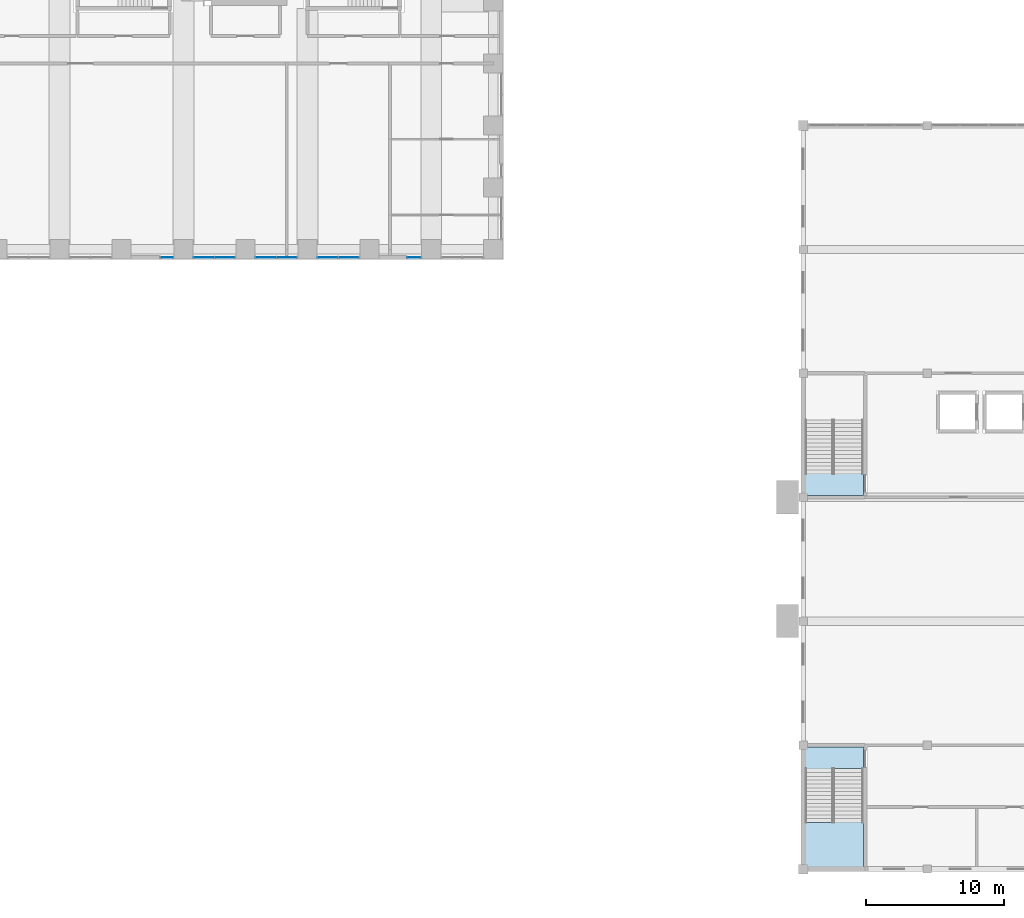
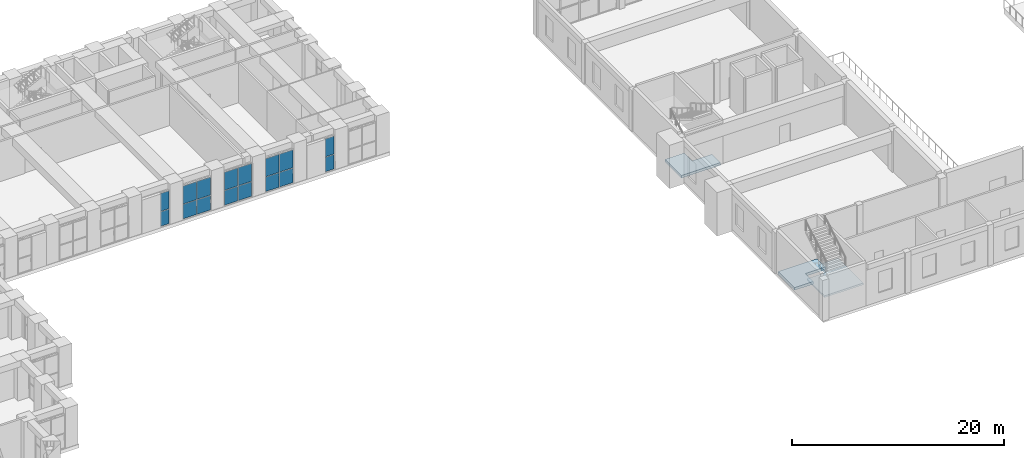
# One storey, part 14 of 34: 16 plates, 3 slabs, 6 elements without a shape of their own.
"""IFC4 building model written with IfcOpenShell, lengths in metres."""

from ifc_helpers import new_model, si_unit, direction, frame, origin, origin_2d, place, context, subcontext, project, spatial, polyline, rectangle, outline, extrude, material, layer, layer_set, type_object, element, aggregate, save


model = new_model("IFC4")

# Units and contexts
model_context = context("Model", 3, precision=1e-05, world=origin(), true_north=direction((0.0, 1.0)))
body_context = subcontext(model_context, "Body", "Model", "MODEL_VIEW")
ifc_project = project(units=[si_unit("LENGTHUNIT", "METRE"), si_unit("AREAUNIT", "SQUARE_METRE"), si_unit("VOLUMEUNIT", "CUBIC_METRE"), si_unit("PLANEANGLEUNIT", "RADIAN"), si_unit("MASSUNIT", "GRAM", prefix="KILO")], contexts=[model_context])

# Site, building, storey
site_placement = place(None, origin())
site = spatial("IfcSite", under=ifc_project, at=site_placement, CompositionType="ELEMENT")
building_placement = place(site_placement, origin())
building = spatial("IfcBuilding", under=site, at=building_placement, Name="Firuza Court", CompositionType="ELEMENT")
storey_placement = place(building_placement, frame((0.0, 0.0, 14.0)))
storey = spatial("IfcBuildingStorey", under=building, at=storey_placement, Name="L02", CompositionType="ELEMENT", Elevation=14.0)

# Curtain wall, plates
ifc_material_1 = material(Name="Aluminium curtain wall, triple clear glazing", Category="aluminium")
curtain_wall_type = type_object("IfcCurtainWallType", Name="Podium unitised curtain wall CW1", PredefinedType="NOTDEFINED", material=ifc_material_1)
curtain_wall_1_placement = place(storey_placement, origin())
curtain_wall_1 = element("IfcCurtainWall", 1, at=curtain_wall_1_placement, inside=storey, type_object=curtain_wall_type, Name="Podium unitised curtain wall CW1 L02", PredefinedType="NOTDEFINED")
ifc_material_2 = material(Name="Triple clear glazing", Category="glass")
ifc_layer_1 = layer(ifc_material_2, 0.031982421875)
ifc_layer_set_1 = layer_set([ifc_layer_1], Name="Triple clear glazing")
plate_type = type_object("IfcPlateType", Name="Glazed panel 32 CW1", PredefinedType="CURTAIN_PANEL", material=ifc_layer_set_1)
plate_1_placement = place(storey_placement, frame((43.7880859375, 35.39990234375, 0.06005859375), z_axis=(0.0, 0.0, 1.0), x_axis=(1.0, 0.0, 0.0)))
plate_1 = element("IfcPlate", 2, at=plate_1_placement, type_object=plate_type, Name="CW1 panel 1.1", PredefinedType="CURTAIN_PANEL", context=body_context, shape_type="SweptSolid", body=[
    extrude(rectangle(XDim=0.90380859375, YDim=0.031982421875, at=origin_2d()), origin(), (0.0, 0.0, 1.0), 1.6650390625),
])
plate_2_placement = place(storey_placement, frame((43.7880859375, 35.39990234375, 1.78515625), z_axis=(0.0, 0.0, 1.0), x_axis=(1.0, 0.0, 0.0)))
plate_2 = element("IfcPlate", 3, at=plate_2_placement, type_object=plate_type, Name="CW1 panel 1.2", PredefinedType="CURTAIN_PANEL", context=body_context, shape_type="SweptSolid", body=[
    extrude(rectangle(XDim=0.90380859375, YDim=0.031982421875, at=origin_2d()), origin(), (0.0, 0.0, 1.0), 2.054931640625),
])
aggregate(curtain_wall_1, [plate_1, plate_2])

curtain_wall_2_placement = place(storey_placement, origin())
curtain_wall_2 = element("IfcCurtainWall", 4, at=curtain_wall_2_placement, inside=storey, type_object=curtain_wall_type, Name="Podium unitised curtain wall CW1 L02", PredefinedType="NOTDEFINED")
plate_3_placement = place(storey_placement, frame((46.489990234375, 35.39990234375, 0.06005859375), z_axis=(0.0, 0.0, 1.0), x_axis=(1.0, 0.0, 0.0)))
plate_3 = element("IfcPlate", 5, at=plate_3_placement, type_object=plate_type, Name="CW1 panel 1.1", PredefinedType="CURTAIN_PANEL", context=body_context, shape_type="SweptSolid", body=[
    extrude(rectangle(XDim=1.4599609375, YDim=0.031982421875, at=origin_2d()), origin(), (0.0, 0.0, 1.0), 1.6650390625),
])
plate_4_placement = place(storey_placement, frame((46.489990234375, 35.39990234375, 1.78515625), z_axis=(0.0, 0.0, 1.0), x_axis=(1.0, 0.0, 0.0)))
plate_4 = element("IfcPlate", 6, at=plate_4_placement, type_object=plate_type, Name="CW1 panel 1.2", PredefinedType="CURTAIN_PANEL", context=body_context, shape_type="SweptSolid", body=[
    extrude(rectangle(XDim=1.4599609375, YDim=0.031982421875, at=origin_2d()), origin(), (0.0, 0.0, 1.0), 2.054931640625),
])
plate_5_placement = place(storey_placement, frame((48.010009765625, 35.39990234375, 0.06005859375), z_axis=(0.0, 0.0, 1.0), x_axis=(1.0, 0.0, 0.0)))
plate_5 = element("IfcPlate", 7, at=plate_5_placement, type_object=plate_type, Name="CW1 panel 2.1", PredefinedType="CURTAIN_PANEL", context=body_context, shape_type="SweptSolid", body=[
    extrude(rectangle(XDim=1.4599609375, YDim=0.031982421875, at=origin_2d()), origin(), (0.0, 0.0, 1.0), 1.6650390625),
])
plate_6_placement = place(storey_placement, frame((48.010009765625, 35.39990234375, 1.78515625), z_axis=(0.0, 0.0, 1.0), x_axis=(1.0, 0.0, 0.0)))
plate_6 = element("IfcPlate", 8, at=plate_6_placement, type_object=plate_type, Name="CW1 panel 2.2", PredefinedType="CURTAIN_PANEL", context=body_context, shape_type="SweptSolid", body=[
    extrude(rectangle(XDim=1.4599609375, YDim=0.031982421875, at=origin_2d()), origin(), (0.0, 0.0, 1.0), 2.054931640625),
])
aggregate(curtain_wall_2, [plate_3, plate_4, plate_5, plate_6])

curtain_wall_3_placement = place(storey_placement, origin())
curtain_wall_3 = element("IfcCurtainWall", 9, at=curtain_wall_3_placement, inside=storey, type_object=curtain_wall_type, Name="Podium unitised curtain wall CW1 L02", PredefinedType="NOTDEFINED")
plate_7_placement = place(storey_placement, frame((50.989990234375, 35.39990234375, 0.06005859375), z_axis=(0.0, 0.0, 1.0), x_axis=(1.0, 0.0, 0.0)))
plate_7 = element("IfcPlate", 10, at=plate_7_placement, type_object=plate_type, Name="CW1 panel 1.1", PredefinedType="CURTAIN_PANEL", context=body_context, shape_type="SweptSolid", body=[
    extrude(rectangle(XDim=1.4599609375, YDim=0.031982421875, at=origin_2d()), origin(), (0.0, 0.0, 1.0), 1.6650390625),
])
plate_8_placement = place(storey_placement, frame((50.989990234375, 35.39990234375, 1.78515625), z_axis=(0.0, 0.0, 1.0), x_axis=(1.0, 0.0, 0.0)))
plate_8 = element("IfcPlate", 11, at=plate_8_placement, type_object=plate_type, Name="CW1 panel 1.2", PredefinedType="CURTAIN_PANEL", context=body_context, shape_type="SweptSolid", body=[
    extrude(rectangle(XDim=1.4599609375, YDim=0.031982421875, at=origin_2d()), origin(), (0.0, 0.0, 1.0), 2.054931640625),
])
plate_9_placement = place(storey_placement, frame((52.510009765625, 35.39990234375, 0.06005859375), z_axis=(0.0, 0.0, 1.0), x_axis=(1.0, 0.0, 0.0)))
plate_9 = element("IfcPlate", 12, at=plate_9_placement, type_object=plate_type, Name="CW1 panel 2.1", PredefinedType="CURTAIN_PANEL", context=body_context, shape_type="SweptSolid", body=[
    extrude(rectangle(XDim=1.4599609375, YDim=0.031982421875, at=origin_2d()), origin(), (0.0, 0.0, 1.0), 1.6650390625),
])
plate_10_placement = place(storey_placement, frame((52.510009765625, 35.39990234375, 1.78515625), z_axis=(0.0, 0.0, 1.0), x_axis=(1.0, 0.0, 0.0)))
plate_10 = element("IfcPlate", 13, at=plate_10_placement, type_object=plate_type, Name="CW1 panel 2.2", PredefinedType="CURTAIN_PANEL", context=body_context, shape_type="SweptSolid", body=[
    extrude(rectangle(XDim=1.4599609375, YDim=0.031982421875, at=origin_2d()), origin(), (0.0, 0.0, 1.0), 2.054931640625),
])
aggregate(curtain_wall_3, [plate_7, plate_8, plate_9, plate_10])

curtain_wall_4_placement = place(storey_placement, origin())
curtain_wall_4 = element("IfcCurtainWall", 14, at=curtain_wall_4_placement, inside=storey, type_object=curtain_wall_type, Name="Podium unitised curtain wall CW1 L02", PredefinedType="NOTDEFINED")
plate_11_placement = place(storey_placement, frame((55.489990234375, 35.39990234375, 0.06005859375), z_axis=(0.0, 0.0, 1.0), x_axis=(1.0, 0.0, 0.0)))
plate_11 = element("IfcPlate", 15, at=plate_11_placement, type_object=plate_type, Name="CW1 panel 1.1", PredefinedType="CURTAIN_PANEL", context=body_context, shape_type="SweptSolid", body=[
    extrude(rectangle(XDim=1.4599609375, YDim=0.031982421875, at=origin_2d()), origin(), (0.0, 0.0, 1.0), 1.6650390625),
])
plate_12_placement = place(storey_placement, frame((55.489990234375, 35.39990234375, 1.78515625), z_axis=(0.0, 0.0, 1.0), x_axis=(1.0, 0.0, 0.0)))
plate_12 = element("IfcPlate", 16, at=plate_12_placement, type_object=plate_type, Name="CW1 panel 1.2", PredefinedType="CURTAIN_PANEL", context=body_context, shape_type="SweptSolid", body=[
    extrude(rectangle(XDim=1.4599609375, YDim=0.031982421875, at=origin_2d()), origin(), (0.0, 0.0, 1.0), 2.054931640625),
])
plate_13_placement = place(storey_placement, frame((57.010009765625, 35.39990234375, 0.06005859375), z_axis=(0.0, 0.0, 1.0), x_axis=(1.0, 0.0, 0.0)))
plate_13 = element("IfcPlate", 17, at=plate_13_placement, type_object=plate_type, Name="CW1 panel 2.1", PredefinedType="CURTAIN_PANEL", context=body_context, shape_type="SweptSolid", body=[
    extrude(rectangle(XDim=1.4599609375, YDim=0.031982421875, at=origin_2d()), origin(), (0.0, 0.0, 1.0), 1.6650390625),
])
plate_14_placement = place(storey_placement, frame((57.010009765625, 35.39990234375, 1.78515625), z_axis=(0.0, 0.0, 1.0), x_axis=(1.0, 0.0, 0.0)))
plate_14 = element("IfcPlate", 18, at=plate_14_placement, type_object=plate_type, Name="CW1 panel 2.2", PredefinedType="CURTAIN_PANEL", context=body_context, shape_type="SweptSolid", body=[
    extrude(rectangle(XDim=1.4599609375, YDim=0.031982421875, at=origin_2d()), origin(), (0.0, 0.0, 1.0), 2.054931640625),
])
aggregate(curtain_wall_4, [plate_11, plate_12, plate_13, plate_14])

curtain_wall_5_placement = place(storey_placement, origin())
curtain_wall_5 = element("IfcCurtainWall", 19, at=curtain_wall_5_placement, inside=storey, type_object=curtain_wall_type, Name="Podium unitised curtain wall CW1 L02", PredefinedType="NOTDEFINED")
plate_15_placement = place(storey_placement, frame((61.7490234375, 35.39990234375, 0.06005859375), z_axis=(0.0, 0.0, 1.0), x_axis=(1.0, 0.0, 0.0)))
plate_15 = element("IfcPlate", 20, at=plate_15_placement, type_object=plate_type, Name="CW1 panel 1.1", PredefinedType="CURTAIN_PANEL", context=body_context, shape_type="SweptSolid", body=[
    extrude(rectangle(XDim=0.981689453125, YDim=0.031982421875, at=origin_2d()), origin(), (0.0, 0.0, 1.0), 1.6650390625),
])
plate_16_placement = place(storey_placement, frame((61.7490234375, 35.39990234375, 1.78515625), z_axis=(0.0, 0.0, 1.0), x_axis=(1.0, 0.0, 0.0)))
plate_16 = element("IfcPlate", 21, at=plate_16_placement, type_object=plate_type, Name="CW1 panel 1.2", PredefinedType="CURTAIN_PANEL", context=body_context, shape_type="SweptSolid", body=[
    extrude(rectangle(XDim=0.981689453125, YDim=0.031982421875, at=origin_2d()), origin(), (0.0, 0.0, 1.0), 2.054931640625),
])
aggregate(curtain_wall_5, [plate_15, plate_16])

# Slabs
ifc_material_3 = material(Name="Concrete C40/50", Category="concrete")
ifc_layer_2 = layer(ifc_material_3, 0.300048828125)
ifc_layer_set_2 = layer_set([ifc_layer_2], Name="Concrete C40/50")
slab_type_1 = type_object("IfcSlabType", Name="HALL FLAT SLAB 300", PredefinedType="FLOOR", material=ifc_layer_set_2)
slab_1_placement = place(storey_placement, frame((0.0, 0.0, -0.300048828125)))
element("IfcSlab", 22, at=slab_1_placement, inside=storey, type_object=slab_type_1, Name="Floor slab L02.2", PredefinedType="FLOOR", context=body_context, shape_type="SweptSolid", body=[
    extrude(outline(polyline([(90.125, -3.199951171875), (90.125, -0.125), (94.375, -0.125), (94.375, -1.7099609375), (92.199951171875, -1.7099609375), (92.199951171875, -3.199951171875), (90.125, -3.199951171875)])), origin(), (0.0, 0.0, 1.0), 0.300048828125),
])
slab_2_placement = place(storey_placement, frame((0.0, 0.0, -0.300048828125)))
element("IfcSlab", 23, at=slab_2_placement, inside=storey, type_object=slab_type_1, Name="Floor slab L02.4", PredefinedType="FLOOR", context=body_context, shape_type="SweptSolid", body=[
    extrude(outline(polyline([(90.125, 18.125), (90.125, 21.199951171875), (92.199951171875, 21.199951171875), (92.199951171875, 19.7099609375), (94.375, 19.7099609375), (94.375, 18.125), (90.125, 18.125)])), origin(), (0.0, 0.0, 1.0), 0.300048828125),
])

# Stair, slab
ifc_material_4 = material(Name="Concrete C40/50", Category="concrete")
stair_type = type_object("IfcStairType", Name="HALL STAIR", PredefinedType="NOTDEFINED", material=ifc_material_4)
stair_placement = place(storey_placement, origin())
stair = element("IfcStair", 24, at=stair_placement, inside=storey, type_object=stair_type, Name="Stair H1 L02", PredefinedType="NOTDEFINED")
ifc_layer_3 = layer(ifc_material_3, 0.199951171875)
ifc_layer_set_3 = layer_set([ifc_layer_3], Name="Concrete C40/50")
slab_type_2 = type_object("IfcSlabType", Name="HALL STAIR LANDING 200", PredefinedType="LANDING", material=ifc_layer_set_3)
slab_3_placement = place(storey_placement, frame((0.0, 0.0, 2.300048828125)))
slab_3 = element("IfcSlab", 25, at=slab_3_placement, type_object=slab_type_2, Name="HS-1 landing 1", PredefinedType="LANDING", context=body_context, shape_type="SweptSolid", body=[
    extrude(outline(polyline([(90.125, -5.610107421875), (92.199951171875, -5.610107421875), (92.199951171875, -4.1201171875), (94.375, -4.1201171875), (94.375, -8.875), (90.125, -8.875), (90.125, -5.610107421875)])), origin(), (0.0, 0.0, 1.0), 0.199951171875),
])
aggregate(stair, [slab_3])

save(model, "model.ifc")
